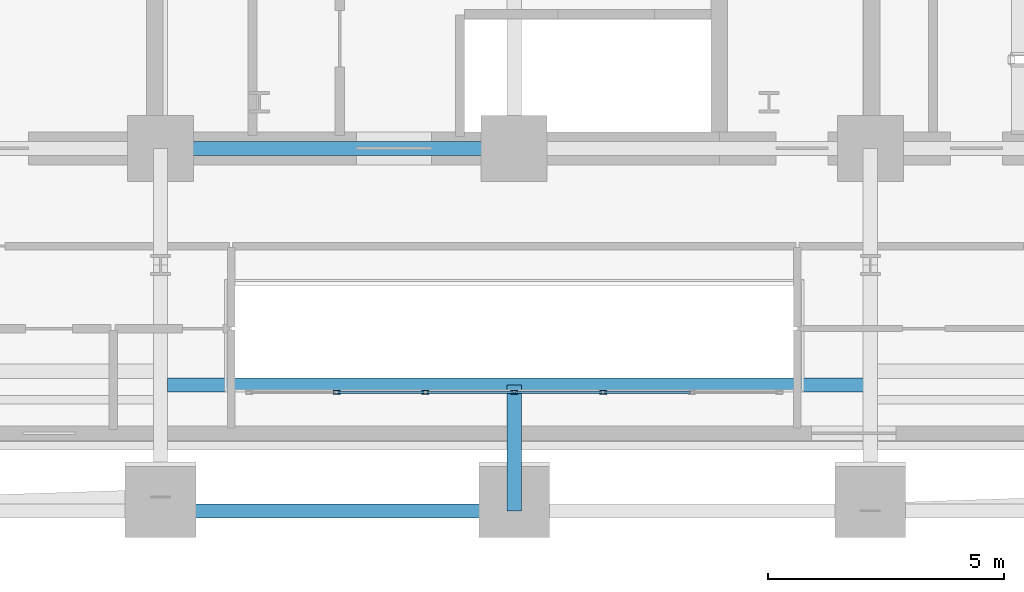
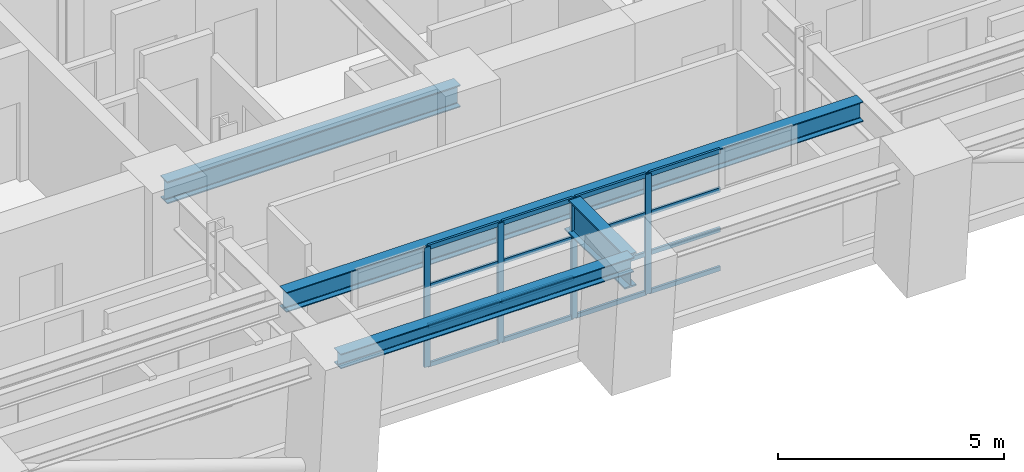
# One storey, part 3 of 16: 20 members, 4 beams, 1 element without a shape of its own.
"""IFC4 building model written with IfcOpenShell, lengths in metres."""

from ifc_helpers import new_model, si_unit, direction, frame, origin, origin_2d, place, context, subcontext, project, spatial, hollow_rectangle, i_section, extrude, material, layer, layer_set, material_profile, profile_set, type_object, element, aggregate, save


model = new_model("IFC4")

# Units and contexts
model_context = context("Model", 3, precision=1e-05, world=origin(), true_north=direction((0.0, 1.0)))
body_context = subcontext(model_context, "Body", "Model", "MODEL_VIEW")
ifc_project = project(units=[si_unit("LENGTHUNIT", "METRE"), si_unit("AREAUNIT", "SQUARE_METRE"), si_unit("VOLUMEUNIT", "CUBIC_METRE"), si_unit("PLANEANGLEUNIT", "RADIAN"), si_unit("MASSUNIT", "GRAM", prefix="KILO")], contexts=[model_context])

# Site, building, storey
site_placement = place(None, origin())
site = spatial("IfcSite", under=ifc_project, at=site_placement, CompositionType="ELEMENT")
building_placement = place(site_placement, origin())
building = spatial("IfcBuilding", under=site, at=building_placement, Name="Zarnavel Station Tower", CompositionType="ELEMENT")
storey_placement = place(building_placement, frame((0.0, 0.0, 64.0)))
storey = spatial("IfcBuildingStorey", under=building, at=storey_placement, Name="L17", CompositionType="ELEMENT", Elevation=64.0)

# Curtain wall, members
ifc_material_1 = material(Name="Aluminium Dark Anodised and Solar-Control Glass", Category="aluminium")
ifc_layer = layer(ifc_material_1, 0.179931640625)
ifc_layer_set = layer_set([ifc_layer], Name="CWS2")
curtain_wall_type = type_object("IfcCurtainWallType", Name="CWS2", PredefinedType="NOTDEFINED", material=ifc_layer_set)
curtain_wall_placement = place(storey_placement, origin())
curtain_wall = element("IfcCurtainWall", 1, at=curtain_wall_placement, inside=storey, type_object=curtain_wall_type, Name="L17 Curtain Wall CWS2-L17-AS", PredefinedType="NOTDEFINED")
ifc_material_2 = material(Name="Steel S355J2 (Black Fluoropolymer Coated)", Category="steel")
ifc_material_profile_1 = material_profile(ifc_material_2, hollow_rectangle(XDim=0.074951171875, YDim=0.14990234375, WallThickness=0.00634765625, at=origin_2d()), Name="RHS150x75x6.3")
ifc_profile_set_1 = profile_set([ifc_material_profile_1], Name="Steel S355J2 (Black Fluoropolymer Coated)")
member_type_1 = type_object("IfcMemberType", Name="CWS2_MUL", PredefinedType="MULLION", material=ifc_profile_set_1)
member_1_placement = place(storey_placement, frame((25.033447265625, 22.64990234375, 0.0), z_axis=(0.0, 0.0, 1.0), x_axis=(0.0, 1.0, 0.0)))
member_1 = element("IfcMember", 2, at=member_1_placement, type_object=member_type_1, Name="CW2 mullion 2", PredefinedType="MULLION", context=body_context, shape_type="SweptSolid", body=[
    extrude(hollow_rectangle(XDim=0.074951171875, YDim=0.14990234375, WallThickness=0.00634765625, at=origin_2d()), origin(), (0.0, 0.0, 1.0), 3.239990234375),
])
member_2_placement = place(storey_placement, frame((26.916748046875, 22.64990234375, 0.0), z_axis=(0.0, 0.0, 1.0), x_axis=(0.0, 1.0, 0.0)))
member_2 = element("IfcMember", 3, at=member_2_placement, type_object=member_type_1, Name="CW2 mullion 3", PredefinedType="MULLION", context=body_context, shape_type="SweptSolid", body=[
    extrude(hollow_rectangle(XDim=0.074951171875, YDim=0.14990234375, WallThickness=0.00634765625, at=origin_2d()), origin(), (0.0, 0.0, 1.0), 3.239990234375),
])
member_3_placement = place(storey_placement, frame((28.800048828125, 22.64990234375, 0.0), z_axis=(0.0, 0.0, 1.0), x_axis=(0.0, 1.0, 0.0)))
member_3 = element("IfcMember", 4, at=member_3_placement, type_object=member_type_1, Name="CW2 mullion 4", PredefinedType="MULLION", context=body_context, shape_type="SweptSolid", body=[
    extrude(hollow_rectangle(XDim=0.074951171875, YDim=0.14990234375, WallThickness=0.00634765625, at=origin_2d()), origin(), (0.0, 0.0, 1.0), 3.239990234375),
])
member_4_placement = place(storey_placement, frame((30.683349609375, 22.64990234375, 0.0), z_axis=(0.0, 0.0, 1.0), x_axis=(0.0, 1.0, 0.0)))
member_4 = element("IfcMember", 5, at=member_4_placement, type_object=member_type_1, Name="CW2 mullion 5", PredefinedType="MULLION", context=body_context, shape_type="SweptSolid", body=[
    extrude(hollow_rectangle(XDim=0.074951171875, YDim=0.14990234375, WallThickness=0.00634765625, at=origin_2d()), origin(), (0.0, 0.0, 1.0), 3.239990234375),
])
ifc_material_3 = material(Name="Steel S355J2 (Black Fluoropolymer Coated)", Category="steel")
ifc_material_profile_2 = material_profile(ifc_material_3, hollow_rectangle(XDim=0.06005859375, YDim=0.1201171875, WallThickness=0.0048828125, at=origin_2d()), Name="RHS120x60x5")
ifc_profile_set_2 = profile_set([ifc_material_profile_2], Name="Steel S355J2 (Black Fluoropolymer Coated)")
member_type_2 = type_object("IfcMemberType", Name="CWS2_TRN", PredefinedType="USERDEFINED", material=ifc_profile_set_2)
member_5_placement = place(storey_placement, frame((25.063232421875, 22.64990234375, 0.030029296875), z_axis=(1.0, 0.0, 0.0), x_axis=(0.0, 1.0, 0.0)))
member_5 = element("IfcMember", 6, at=member_5_placement, type_object=member_type_2, Name="CW2 transom 2.1", ObjectType="TRANSOM", PredefinedType="USERDEFINED", context=body_context, shape_type="SweptSolid", body=[
    extrude(hollow_rectangle(XDim=0.06005859375, YDim=0.1201171875, WallThickness=0.0048828125, at=origin_2d()), origin(), (0.0, 0.0, 1.0), 1.823486328125),
])
member_6_placement = place(storey_placement, frame((25.063232421875, 22.64990234375, 1.080078125), z_axis=(1.0, 0.0, 0.0), x_axis=(0.0, 1.0, 0.0)))
member_6 = element("IfcMember", 7, at=member_6_placement, type_object=member_type_2, Name="CW2 transom 2.2", ObjectType="TRANSOM", PredefinedType="USERDEFINED", context=body_context, shape_type="SweptSolid", body=[
    extrude(hollow_rectangle(XDim=0.06005859375, YDim=0.1201171875, WallThickness=0.0048828125, at=origin_2d()), origin(), (0.0, 0.0, 1.0), 1.823486328125),
])
member_7_placement = place(storey_placement, frame((25.063232421875, 22.64990234375, 2.159912109375), z_axis=(1.0, 0.0, 0.0), x_axis=(0.0, 1.0, 0.0)))
member_7 = element("IfcMember", 8, at=member_7_placement, type_object=member_type_2, Name="CW2 transom 2.3", ObjectType="TRANSOM", PredefinedType="USERDEFINED", context=body_context, shape_type="SweptSolid", body=[
    extrude(hollow_rectangle(XDim=0.06005859375, YDim=0.1201171875, WallThickness=0.0048828125, at=origin_2d()), origin(), (0.0, 0.0, 1.0), 1.823486328125),
])
member_8_placement = place(storey_placement, frame((25.063232421875, 22.64990234375, 3.2099609375), z_axis=(1.0, 0.0, 0.0), x_axis=(0.0, 1.0, 0.0)))
member_8 = element("IfcMember", 9, at=member_8_placement, type_object=member_type_2, Name="CW2 transom 2.4", ObjectType="TRANSOM", PredefinedType="USERDEFINED", context=body_context, shape_type="SweptSolid", body=[
    extrude(hollow_rectangle(XDim=0.06005859375, YDim=0.1201171875, WallThickness=0.0048828125, at=origin_2d()), origin(), (0.0, 0.0, 1.0), 1.823486328125),
])
member_9_placement = place(storey_placement, frame((26.94677734375, 22.64990234375, 0.030029296875), z_axis=(1.0, 0.0, 0.0), x_axis=(0.0, 1.0, 0.0)))
member_9 = element("IfcMember", 10, at=member_9_placement, type_object=member_type_2, Name="CW2 transom 3.1", ObjectType="TRANSOM", PredefinedType="USERDEFINED", context=body_context, shape_type="SweptSolid", body=[
    extrude(hollow_rectangle(XDim=0.06005859375, YDim=0.1201171875, WallThickness=0.0048828125, at=origin_2d()), origin(), (0.0, 0.0, 1.0), 1.8232421875),
])
member_10_placement = place(storey_placement, frame((26.94677734375, 22.64990234375, 1.080078125), z_axis=(1.0, 0.0, 0.0), x_axis=(0.0, 1.0, 0.0)))
member_10 = element("IfcMember", 11, at=member_10_placement, type_object=member_type_2, Name="CW2 transom 3.2", ObjectType="TRANSOM", PredefinedType="USERDEFINED", context=body_context, shape_type="SweptSolid", body=[
    extrude(hollow_rectangle(XDim=0.06005859375, YDim=0.1201171875, WallThickness=0.0048828125, at=origin_2d()), origin(), (0.0, 0.0, 1.0), 1.8232421875),
])
member_11_placement = place(storey_placement, frame((26.94677734375, 22.64990234375, 2.159912109375), z_axis=(1.0, 0.0, 0.0), x_axis=(0.0, 1.0, 0.0)))
member_11 = element("IfcMember", 12, at=member_11_placement, type_object=member_type_2, Name="CW2 transom 3.3", ObjectType="TRANSOM", PredefinedType="USERDEFINED", context=body_context, shape_type="SweptSolid", body=[
    extrude(hollow_rectangle(XDim=0.06005859375, YDim=0.1201171875, WallThickness=0.0048828125, at=origin_2d()), origin(), (0.0, 0.0, 1.0), 1.8232421875),
])
member_12_placement = place(storey_placement, frame((26.94677734375, 22.64990234375, 3.2099609375), z_axis=(1.0, 0.0, 0.0), x_axis=(0.0, 1.0, 0.0)))
member_12 = element("IfcMember", 13, at=member_12_placement, type_object=member_type_2, Name="CW2 transom 3.4", ObjectType="TRANSOM", PredefinedType="USERDEFINED", context=body_context, shape_type="SweptSolid", body=[
    extrude(hollow_rectangle(XDim=0.06005859375, YDim=0.1201171875, WallThickness=0.0048828125, at=origin_2d()), origin(), (0.0, 0.0, 1.0), 1.8232421875),
])
member_13_placement = place(storey_placement, frame((28.830078125, 22.64990234375, 0.030029296875), z_axis=(1.0, 0.0, 0.0), x_axis=(0.0, 1.0, 0.0)))
member_13 = element("IfcMember", 14, at=member_13_placement, type_object=member_type_2, Name="CW2 transom 4.1", ObjectType="TRANSOM", PredefinedType="USERDEFINED", context=body_context, shape_type="SweptSolid", body=[
    extrude(hollow_rectangle(XDim=0.06005859375, YDim=0.1201171875, WallThickness=0.0048828125, at=origin_2d()), origin(), (0.0, 0.0, 1.0), 1.8232421875),
])
member_14_placement = place(storey_placement, frame((28.830078125, 22.64990234375, 1.080078125), z_axis=(1.0, 0.0, 0.0), x_axis=(0.0, 1.0, 0.0)))
member_14 = element("IfcMember", 15, at=member_14_placement, type_object=member_type_2, Name="CW2 transom 4.2", ObjectType="TRANSOM", PredefinedType="USERDEFINED", context=body_context, shape_type="SweptSolid", body=[
    extrude(hollow_rectangle(XDim=0.06005859375, YDim=0.1201171875, WallThickness=0.0048828125, at=origin_2d()), origin(), (0.0, 0.0, 1.0), 1.8232421875),
])
member_15_placement = place(storey_placement, frame((28.830078125, 22.64990234375, 2.159912109375), z_axis=(1.0, 0.0, 0.0), x_axis=(0.0, 1.0, 0.0)))
member_15 = element("IfcMember", 16, at=member_15_placement, type_object=member_type_2, Name="CW2 transom 4.3", ObjectType="TRANSOM", PredefinedType="USERDEFINED", context=body_context, shape_type="SweptSolid", body=[
    extrude(hollow_rectangle(XDim=0.06005859375, YDim=0.1201171875, WallThickness=0.0048828125, at=origin_2d()), origin(), (0.0, 0.0, 1.0), 1.8232421875),
])
member_16_placement = place(storey_placement, frame((28.830078125, 22.64990234375, 3.2099609375), z_axis=(1.0, 0.0, 0.0), x_axis=(0.0, 1.0, 0.0)))
member_16 = element("IfcMember", 17, at=member_16_placement, type_object=member_type_2, Name="CW2 transom 4.4", ObjectType="TRANSOM", PredefinedType="USERDEFINED", context=body_context, shape_type="SweptSolid", body=[
    extrude(hollow_rectangle(XDim=0.06005859375, YDim=0.1201171875, WallThickness=0.0048828125, at=origin_2d()), origin(), (0.0, 0.0, 1.0), 1.8232421875),
])
member_17_placement = place(storey_placement, frame((30.71337890625, 22.64990234375, 0.030029296875), z_axis=(1.0, 0.0, 0.0), x_axis=(0.0, 1.0, 0.0)))
member_17 = element("IfcMember", 18, at=member_17_placement, type_object=member_type_2, Name="CW2 transom 5.1", ObjectType="TRANSOM", PredefinedType="USERDEFINED", context=body_context, shape_type="SweptSolid", body=[
    extrude(hollow_rectangle(XDim=0.06005859375, YDim=0.1201171875, WallThickness=0.0048828125, at=origin_2d()), origin(), (0.0, 0.0, 1.0), 1.8232421875),
])
member_18_placement = place(storey_placement, frame((30.71337890625, 22.64990234375, 1.080078125), z_axis=(1.0, 0.0, 0.0), x_axis=(0.0, 1.0, 0.0)))
member_18 = element("IfcMember", 19, at=member_18_placement, type_object=member_type_2, Name="CW2 transom 5.2", ObjectType="TRANSOM", PredefinedType="USERDEFINED", context=body_context, shape_type="SweptSolid", body=[
    extrude(hollow_rectangle(XDim=0.06005859375, YDim=0.1201171875, WallThickness=0.0048828125, at=origin_2d()), origin(), (0.0, 0.0, 1.0), 1.8232421875),
])
member_19_placement = place(storey_placement, frame((30.71337890625, 22.64990234375, 2.159912109375), z_axis=(1.0, 0.0, 0.0), x_axis=(0.0, 1.0, 0.0)))
member_19 = element("IfcMember", 20, at=member_19_placement, type_object=member_type_2, Name="CW2 transom 5.3", ObjectType="TRANSOM", PredefinedType="USERDEFINED", context=body_context, shape_type="SweptSolid", body=[
    extrude(hollow_rectangle(XDim=0.06005859375, YDim=0.1201171875, WallThickness=0.0048828125, at=origin_2d()), origin(), (0.0, 0.0, 1.0), 1.8232421875),
])
member_20_placement = place(storey_placement, frame((30.71337890625, 22.64990234375, 3.2099609375), z_axis=(1.0, 0.0, 0.0), x_axis=(0.0, 1.0, 0.0)))
member_20 = element("IfcMember", 21, at=member_20_placement, type_object=member_type_2, Name="CW2 transom 5.4", ObjectType="TRANSOM", PredefinedType="USERDEFINED", context=body_context, shape_type="SweptSolid", body=[
    extrude(hollow_rectangle(XDim=0.06005859375, YDim=0.1201171875, WallThickness=0.0048828125, at=origin_2d()), origin(), (0.0, 0.0, 1.0), 1.8232421875),
])
aggregate(curtain_wall, [member_1, member_2, member_3, member_4, member_5, member_6, member_7, member_8, member_9, member_10, member_11, member_12, member_13, member_14, member_15, member_16, member_17, member_18, member_19, member_20])

# Beams
ifc_material_4 = material(Name="Steel S355J2", Category="steel")
ifc_material_profile_3 = material_profile(ifc_material_4, i_section(OverallWidth=0.300048828125, OverallDepth=0.39990234375, WebThickness=0.013427734375, FlangeThickness=0.02392578125, FilletRadius=0.027099609375, at=origin_2d()), Name="HEB400")
ifc_profile_set_3 = profile_set([ifc_material_profile_3], Name="Steel S355J2")
beam_type_1 = type_object("IfcBeamType", Name="EB_HEB400", PredefinedType="SPANDREL", material=ifc_profile_set_3)
beam_1_placement = place(storey_placement, frame((21.300048828125, 20.134765625, 3.0400390625), z_axis=(1.0, 0.0, 0.0), x_axis=(0.0, 1.0, 0.0)))
element("IfcBeam", 22, at=beam_1_placement, inside=storey, type_object=beam_type_1, Name="L17 South Raked Spandrel 2", PredefinedType="SPANDREL", context=body_context, shape_type="SweptSolid", body=[
    extrude(i_section(OverallWidth=0.300048828125, OverallDepth=0.39990234375, WebThickness=0.013427734375, FlangeThickness=0.02392578125, FilletRadius=0.027099609375, at=origin_2d()), origin(), (0.0, 0.0, 1.0), 7.5),
])
ifc_material_5 = material(Name="Steel S355J2", Category="steel")
ifc_material_profile_4 = material_profile(ifc_material_5, i_section(OverallWidth=0.300048828125, OverallDepth=0.5400390625, WebThickness=0.012451171875, FlangeThickness=0.02392578125, FilletRadius=0.027099609375, at=origin_2d()), Name="HEA550")
ifc_profile_set_4 = profile_set([ifc_material_profile_4], Name="Steel S355J2")
beam_type_2 = type_object("IfcBeamType", Name="FB_HEA550", PredefinedType="BEAM", material=ifc_profile_set_4)
beam_2_placement = place(storey_placement, frame((21.445068359375, 22.800048828125, 2.969970703125), z_axis=(1.0, 0.0, 0.0), x_axis=(0.0, 1.0, 0.0)))
element("IfcBeam", 23, at=beam_2_placement, inside=storey, type_object=beam_type_2, Name="L17 Atrium South Edge Girder", PredefinedType="BEAM", context=body_context, shape_type="SweptSolid", body=[
    extrude(i_section(OverallWidth=0.300048828125, OverallDepth=0.5400390625, WebThickness=0.012451171875, FlangeThickness=0.02392578125, FilletRadius=0.027099609375, at=origin_2d()), origin(), (0.0, 0.0, 1.0), 14.760009765625),
])
ifc_material_6 = material(Name="Steel S355J2", Category="steel")
ifc_material_profile_5 = material_profile(ifc_material_6, i_section(OverallWidth=0.300048828125, OverallDepth=0.60009765625, WebThickness=0.015380859375, FlangeThickness=0.030029296875, FilletRadius=0.027099609375, at=origin_2d()), Name="HEB600")
ifc_profile_set_5 = profile_set([ifc_material_profile_5], Name="Steel S355J2")
beam_type_3 = type_object("IfcBeamType", Name="FG_HEB600", PredefinedType="USERDEFINED", material=ifc_profile_set_5)
beam_3_placement = place(storey_placement, frame((21.300048828125, 27.820068359375, 2.93994140625), z_axis=(1.0, 0.0, 0.0), x_axis=(0.0, 1.0, 0.0)))
element("IfcBeam", 24, at=beam_3_placement, inside=storey, type_object=beam_type_3, Name="L17 Core Front Coupling Beam 2", ObjectType="GIRDER", PredefinedType="USERDEFINED", context=body_context, shape_type="SweptSolid", body=[
    extrude(i_section(OverallWidth=0.300048828125, OverallDepth=0.60009765625, WebThickness=0.015380859375, FlangeThickness=0.030029296875, FilletRadius=0.027099609375, at=origin_2d()), origin(), (0.0, 0.0, 1.0), 7.5),
])
ifc_material_7 = material(Name="Steel S460M", Category="steel")
ifc_material_profile_6 = material_profile(ifc_material_7, i_section(OverallWidth=0.302001953125, OverallDepth=0.909912109375, WebThickness=0.02099609375, FlangeThickness=0.0400390625, FilletRadius=0.030029296875, at=origin_2d()), Name="HEM900")
ifc_profile_set_6 = profile_set([ifc_material_profile_6], Name="Steel S460M")
beam_type_4 = type_object("IfcBeamType", Name="TG_HEM900", PredefinedType="USERDEFINED", material=ifc_profile_set_6)
beam_4_placement = place(storey_placement, frame((28.800048828125, 20.134765625, 2.784912109375), z_axis=(0.0, 1.0, 0.0), x_axis=(-1.0, 0.0, 0.0)))
element("IfcBeam", 25, at=beam_4_placement, inside=storey, type_object=beam_type_4, Name="L17 Central Atrium-South Girder", ObjectType="GIRDER", PredefinedType="USERDEFINED", context=body_context, shape_type="SweptSolid", body=[
    extrude(i_section(OverallWidth=0.302001953125, OverallDepth=0.909912109375, WebThickness=0.02099609375, FlangeThickness=0.0400390625, FilletRadius=0.030029296875, at=origin_2d()), origin(), (0.0, 0.0, 1.0), 2.665283203125),
])

save(model, "model.ifc")
